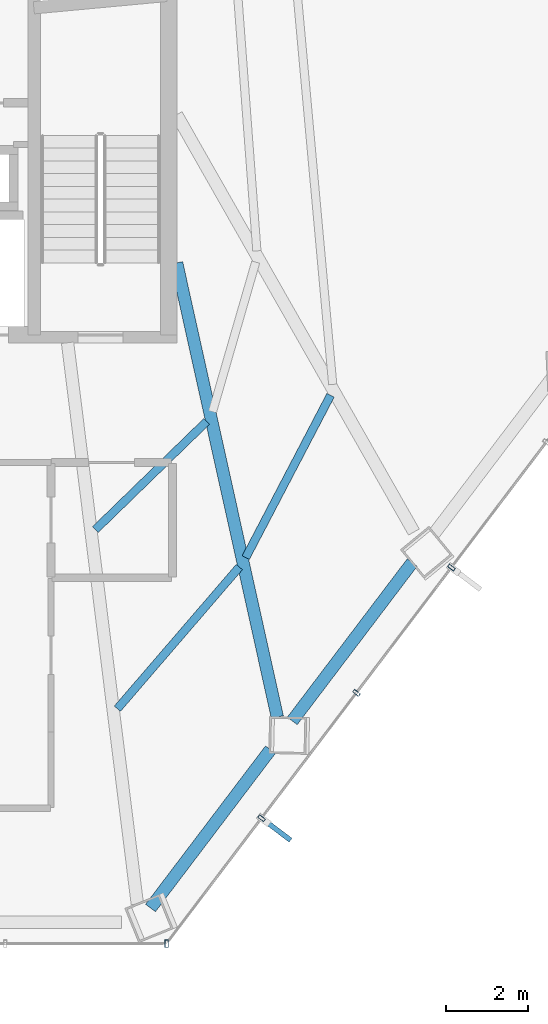
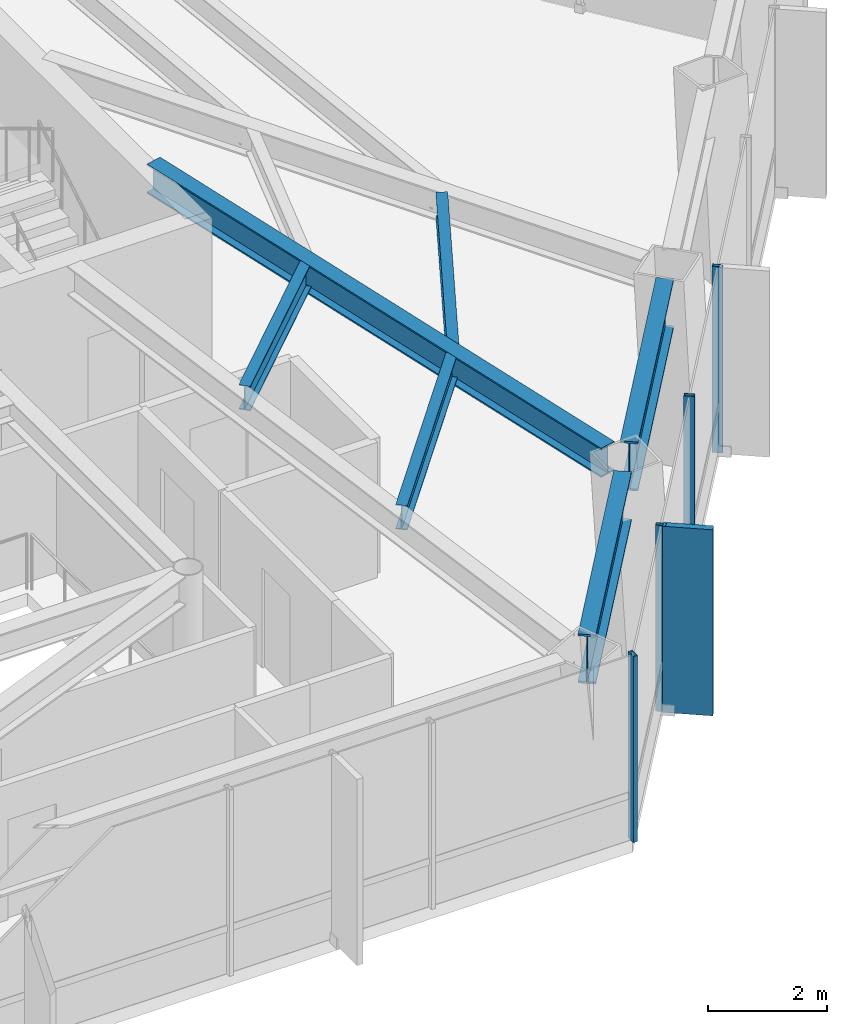
# One storey, part 16 of 26: 6 beams, 5 members, 2 elements without a shape of their own.
"""IFC4 building model written with IfcOpenShell, lengths in metres."""

from ifc_helpers import new_model, si_unit, direction, frame, origin, origin_2d, place, context, subcontext, project, spatial, rectangle, hollow_rectangle, i_section, extrude, material, layer, layer_set, material_profile, profile_set, type_object, element, aggregate, save


model = new_model("IFC4")

# Units and contexts
model_context = context("Model", 3, precision=1e-05, world=origin(), true_north=direction((0.0, 1.0)))
body_context = subcontext(model_context, "Body", "Model", "MODEL_VIEW")
ifc_project = project(units=[si_unit("LENGTHUNIT", "METRE"), si_unit("AREAUNIT", "SQUARE_METRE"), si_unit("VOLUMEUNIT", "CUBIC_METRE"), si_unit("PLANEANGLEUNIT", "RADIAN"), si_unit("MASSUNIT", "GRAM", prefix="KILO")], contexts=[model_context])

# Site, building, storey
site_placement = place(None, origin())
site = spatial("IfcSite", under=ifc_project, at=site_placement, CompositionType="ELEMENT")
building_placement = place(site_placement, origin())
building = spatial("IfcBuilding", under=site, at=building_placement, Name="Zarrinselat Tower", CompositionType="ELEMENT")
storey_placement = place(building_placement, frame((0.0, 0.0, 92.820068359375)))
storey = spatial("IfcBuildingStorey", under=building, at=storey_placement, Name="L22", CompositionType="ELEMENT", Elevation=92.820068359375)

# Beams
ifc_material_1 = material(Name="Steel S355J2", Category="steel")
ifc_material_profile_1 = material_profile(ifc_material_1, i_section(OverallWidth=0.300048828125, OverallDepth=0.60009765625, WebThickness=0.015380859375, FlangeThickness=0.030029296875, at=origin_2d()), Name="HEB 600")
ifc_profile_set_1 = profile_set([ifc_material_profile_1], Name="Steel S355J2")
beam_type_1 = type_object("IfcBeamType", Name="BM-HEB600", PredefinedType="BEAM", material=ifc_profile_set_1)
beam_1_placement = place(storey_placement, frame((48.449951171875, 35.0, 3.52001953125), z_axis=(0.216477682, -0.976287566855, 0.0), x_axis=(0.976287566855, 0.216477682, 0.0)))
element("IfcBeam", 1, at=beam_1_placement, inside=storey, type_object=beam_type_1, Name="L22 Radial Primary Girder RG12", PredefinedType="BEAM", context=body_context, shape_type="SweptSolid", body=[
    extrude(i_section(OverallWidth=0.300048828125, OverallDepth=0.60009765625, WebThickness=0.015380859375, FlangeThickness=0.030029296875, at=origin_2d()), origin(), (0.0, 0.0, 1.0), 11.304931640625),
])
ifc_material_2 = material(Name="Steel S460M", Category="steel")
ifc_material_profile_2 = material_profile(ifc_material_2, i_section(OverallWidth=0.302001953125, OverallDepth=1.008056640625, WebThickness=0.02099609375, FlangeThickness=0.0400390625, at=origin_2d()), Name="HEM 1000")
ifc_profile_set_2 = profile_set([ifc_material_profile_2], Name="Steel S460M")
beam_type_2 = type_object("IfcBeamType", Name="BM-HEM1000", PredefinedType="BEAM", material=ifc_profile_set_2)
beam_2_placement = place(storey_placement, frame((47.8154296875, 19.32470703125, 3.31591796875), z_axis=(0.603852819431, 0.797095836437, 0.0), x_axis=(-0.797095836437, 0.603852819431, 0.0)))
element("IfcBeam", 2, at=beam_2_placement, inside=storey, type_object=beam_type_2, Name="L22 Perimeter Spandrel Girder SP11", PredefinedType="BEAM", context=body_context, shape_type="SweptSolid", body=[
    extrude(i_section(OverallWidth=0.302001953125, OverallDepth=1.008056640625, WebThickness=0.02099609375, FlangeThickness=0.0400390625, at=origin_2d()), origin(), (0.0, 0.0, 1.0), 4.827392578125),
])
beam_3_placement = place(storey_placement, frame((51.259521484375, 23.870849609375, 3.31591796875), z_axis=(0.60382847745, 0.797114276513, 0.0), x_axis=(-0.797114276513, 0.60382847745, 0.0)))
element("IfcBeam", 3, at=beam_3_placement, inside=storey, type_object=beam_type_2, Name="L22 Perimeter Spandrel Girder SP12", PredefinedType="BEAM", context=body_context, shape_type="SweptSolid", body=[
    extrude(i_section(OverallWidth=0.302001953125, OverallDepth=1.008056640625, WebThickness=0.02099609375, FlangeThickness=0.0400390625, at=origin_2d()), origin(), (0.0, 0.0, 1.0), 4.82763671875),
])
ifc_material_3 = material(Name="Steel S355J2", Category="steel")
ifc_material_profile_3 = material_profile(ifc_material_3, i_section(OverallWidth=0.199951171875, OverallDepth=0.5, WebThickness=0.01025390625, FlangeThickness=0.01611328125, at=origin_2d()), Name="IPE 500")
ifc_profile_set_3 = profile_set([ifc_material_profile_3], Name="Steel S355J2")
beam_type_3 = type_object("IfcBeamType", Name="BM-IPE500", PredefinedType="JOIST", material=ifc_profile_set_3)
beam_4_placement = place(storey_placement, frame((47.010009765625, 24.16650390625, 3.56982421875), z_axis=(0.652391980418, 0.757881721568, 0.0), x_axis=(-0.757881721568, 0.652391980418, 0.0)))
element("IfcBeam", 4, at=beam_4_placement, inside=storey, type_object=beam_type_3, Name="L22 Composite Floor Joist 3-1", PredefinedType="JOIST", context=body_context, shape_type="SweptSolid", body=[
    extrude(i_section(OverallWidth=0.199951171875, OverallDepth=0.5, WebThickness=0.01025390625, FlangeThickness=0.01611328125, at=origin_2d()), origin(), (0.0, 0.0, 1.0), 4.54296875),
])
beam_5_placement = place(storey_placement, frame((46.476806640625, 28.521484375, 3.56982421875), z_axis=(0.717164751372, 0.696903665789, 0.0), x_axis=(-0.696903665789, 0.717164751372, 0.0)))
element("IfcBeam", 5, at=beam_5_placement, inside=storey, type_object=beam_type_3, Name="L22 Composite Floor Joist 3-2", PredefinedType="JOIST", context=body_context, shape_type="SweptSolid", body=[
    extrude(i_section(OverallWidth=0.199951171875, OverallDepth=0.5, WebThickness=0.01025390625, FlangeThickness=0.01611328125, at=origin_2d()), origin(), (0.0, 0.0, 1.0), 3.771484375),
])
beam_6_placement = place(storey_placement, frame((50.1298828125, 27.839599609375, 3.56982421875), z_axis=(0.463008406228, 0.886353888558, 0.0), x_axis=(-0.886353888558, 0.463008406228, 0.0)))
element("IfcBeam", 6, at=beam_6_placement, inside=storey, type_object=beam_type_3, Name="L22 Composite Floor Joist 4-1", PredefinedType="JOIST", context=body_context, shape_type="SweptSolid", body=[
    extrude(i_section(OverallWidth=0.199951171875, OverallDepth=0.5, WebThickness=0.01025390625, FlangeThickness=0.01611328125, at=origin_2d()), origin(), (0.0, 0.0, 1.0), 4.450439453125),
])

# Curtain wall, member
ifc_material_4 = material(Name="Extruded Aluminium Alloy EN AW-6063 T6", Category="aluminium")
ifc_layer = layer(ifc_material_4, 0.18505859375)
ifc_layer_set = layer_set([ifc_layer], Name="Extruded Aluminium Alloy EN AW-6063 T6")
curtain_wall_type = type_object("IfcCurtainWallType", Name="CWS-OFF", PredefinedType="NOTDEFINED", material=ifc_layer_set)
curtain_wall_1_placement = place(storey_placement, origin())
curtain_wall_1 = element("IfcCurtainWall", 7, at=curtain_wall_1_placement, inside=storey, type_object=curtain_wall_type, Name="L22 Unitised Curtain Wall CW-L22-E04", PredefinedType="NOTDEFINED")
ifc_material_5 = material(Name="Extruded Aluminium Alloy EN AW-6063 T6", Category="aluminium")
ifc_material_profile_4 = material_profile(ifc_material_5, hollow_rectangle(XDim=0.080078125, YDim=0.179931640625, WallThickness=0.0048828125, at=origin_2d()), Name="RHS 180x80x5")
ifc_profile_set_4 = profile_set([ifc_material_profile_4], Name="Extruded Aluminium Alloy EN AW-6063 T6")
member_type_1 = type_object("IfcMemberType", Name="MEM-CW-MUL", PredefinedType="MULLION", material=ifc_profile_set_4)
member_1_placement = place(storey_placement, frame((48.20556640625, 18.4599609375, 0.0), z_axis=(0.0, 0.0, 1.0), x_axis=(1.0, 0.0, 0.0)))
member_1 = element("IfcMember", 8, at=member_1_placement, type_object=member_type_1, Name="CW-L22-E04 Mullion 7", PredefinedType="MULLION", context=body_context, shape_type="SweptSolid", body=[
    extrude(hollow_rectangle(XDim=0.080078125, YDim=0.179931640625, WallThickness=0.0048828125, at=origin_2d()), origin(), (0.0, 0.0, 1.0), 3.81982421875),
])
aggregate(curtain_wall_1, [member_1])

# Curtain wall, members
curtain_wall_2_placement = place(storey_placement, origin())
curtain_wall_2 = element("IfcCurtainWall", 9, at=curtain_wall_2_placement, inside=storey, type_object=curtain_wall_type, Name="L22 Unitised Curtain Wall CW-L22-E05", PredefinedType="NOTDEFINED")
member_2_placement = place(storey_placement, frame((50.512939453125, 21.505859375, 0.0), z_axis=(0.0, 0.0, 1.0), x_axis=(0.603855672579, 0.797093674981, 0.0)))
member_2 = element("IfcMember", 10, at=member_2_placement, type_object=member_type_1, Name="CW-L22-E05 Mullion 1", PredefinedType="MULLION", context=body_context, shape_type="SweptSolid", body=[
    extrude(hollow_rectangle(XDim=0.080078125, YDim=0.179931640625, WallThickness=0.0048828125, at=origin_2d()), origin(), (0.0, 0.0, 1.0), 3.81982421875),
])
member_3_placement = place(storey_placement, frame((52.820556640625, 24.5517578125, 0.0), z_axis=(0.0, 0.0, 1.0), x_axis=(0.603855672579, 0.797093674981, 0.0)))
member_3 = element("IfcMember", 11, at=member_3_placement, type_object=member_type_1, Name="CW-L22-E05 Mullion 2", PredefinedType="MULLION", context=body_context, shape_type="SweptSolid", body=[
    extrude(hollow_rectangle(XDim=0.080078125, YDim=0.179931640625, WallThickness=0.0048828125, at=origin_2d()), origin(), (0.0, 0.0, 1.0), 3.81982421875),
])
member_4_placement = place(storey_placement, frame((55.1279296875, 27.59765625, 0.0), z_axis=(0.0, 0.0, 1.0), x_axis=(0.603855672579, 0.797093674981, 0.0)))
member_4 = element("IfcMember", 12, at=member_4_placement, type_object=member_type_1, Name="CW-L22-E05 Mullion 3", PredefinedType="MULLION", context=body_context, shape_type="SweptSolid", body=[
    extrude(hollow_rectangle(XDim=0.080078125, YDim=0.179931640625, WallThickness=0.0048828125, at=origin_2d()), origin(), (0.0, 0.0, 1.0), 3.81982421875),
])
ifc_material_6 = material(Name="Honed Cream Travertine Stone", Category="masonry")
ifc_material_profile_5 = material_profile(ifc_material_6, rectangle(XDim=0.1201171875, YDim=0.85009765625, at=origin_2d()), Name="FIN 850x120")
ifc_profile_set_5 = profile_set([ifc_material_profile_5], Name="Honed Cream Travertine Stone")
member_type_2 = type_object("IfcMemberType", Name="MEM-STONE-FIN", PredefinedType="USERDEFINED", material=ifc_profile_set_5)
member_5_placement = place(storey_placement, frame((50.879638671875, 21.22802734375, 0.0), z_axis=(0.0, 0.0, 1.0), x_axis=(-0.603855672579, -0.797093674981, 0.0)))
member_5 = element("IfcMember", 13, at=member_5_placement, type_object=member_type_2, Name="L22 Stone Shading Fin CW-L22-E05-01", ObjectType="FIN", PredefinedType="USERDEFINED", context=body_context, shape_type="SweptSolid", body=[
    extrude(rectangle(XDim=0.1201171875, YDim=0.85009765625, at=origin_2d()), origin(), (0.0, 0.0, 1.0), 3.81982421875),
])
aggregate(curtain_wall_2, [member_2, member_5, member_3, member_4])

save(model, "model.ifc")
